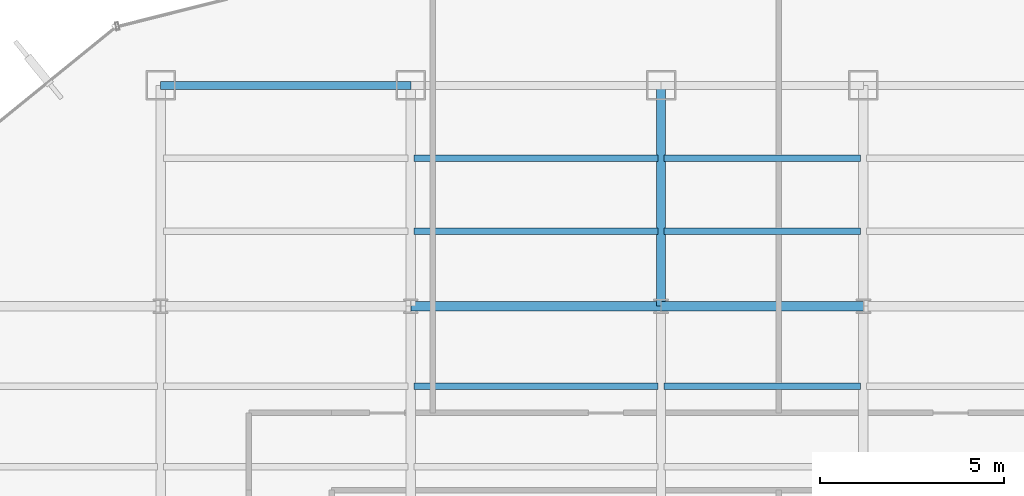
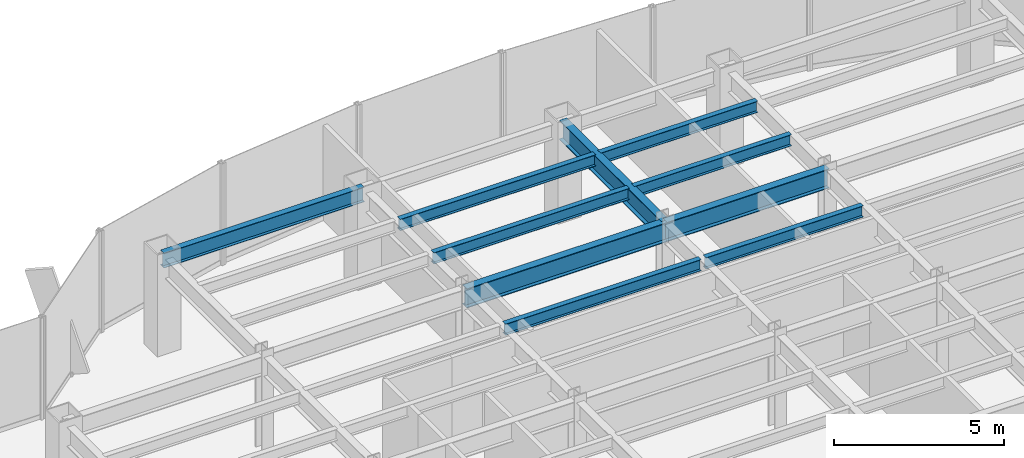
# One storey, part 15 of 26: 10 beams.
"""IFC4 building model written with IfcOpenShell, lengths in metres."""

from ifc_helpers import new_model, si_unit, derived_unit, direction, frame, origin, origin_2d, place, context, subcontext, project, spatial, i_section, extrude, source, transform, mapped, material, material_profile, profile_set, type_object, element, save


model = new_model("IFC4")

# Units and contexts
model_context = context("Model", 3, precision=1e-05, world=origin(), true_north=direction((0.0, 1.0)))
body_context = subcontext(model_context, "Body", "Model", "MODEL_VIEW")
ifc_project = project(units=[si_unit("LENGTHUNIT", "METRE"), si_unit("AREAUNIT", "SQUARE_METRE"), si_unit("VOLUMEUNIT", "CUBIC_METRE"), si_unit("PLANEANGLEUNIT", "RADIAN"), si_unit("MASSUNIT", "GRAM", prefix="KILO"), derived_unit("THERMALTRANSMITTANCEUNIT", [(si_unit("POWERUNIT", "WATT"), 1), (si_unit("LENGTHUNIT", "METRE"), -2), (si_unit("THERMODYNAMICTEMPERATUREUNIT", "KELVIN"), -1)])], contexts=[model_context])

# Site, building, storey
site_placement = place(None, origin())
site = spatial("IfcSite", under=ifc_project, at=site_placement, CompositionType="ELEMENT")
building_placement = place(site_placement, origin())
building = spatial("IfcBuilding", under=site, at=building_placement, Name="Skarnbrae Concourse Arena and Tower", CompositionType="ELEMENT")
storey_placement = place(building_placement, frame((0.0, 0.0, 110.550048828125)))
storey = spatial("IfcBuildingStorey", under=building, at=storey_placement, Name="L27", CompositionType="ELEMENT", Elevation=110.550048828125)

# Beams
ifc_material = material(Name="Steel CSA G40.21 350W", Category="steel")
ifc_material_profile_1 = material_profile(ifc_material, i_section(OverallWidth=0.256103515625, OverallDepth=0.693115234375, WebThickness=0.014404296875, FlangeThickness=0.023681640625, at=origin_2d()), Name="W690X170")
ifc_profile_set_1 = profile_set([ifc_material_profile_1], Name="Steel CSA G40.21 350W")
beam_type_1 = type_object("IfcBeamType", Name="BM-GIRD-W690X170", PredefinedType="BEAM", material=ifc_profile_set_1)
shared_shape_1 = source(origin(), body_context, "Body", "SweptSolid", [
    extrude(i_section(OverallWidth=0.256103515625, OverallDepth=0.693115234375, WebThickness=0.014404296875, FlangeThickness=0.023681640625, at=origin_2d()), origin(), (0.0, 0.0, 1.0), 6.800048828125),
])
beam_1_placement = place(storey_placement, frame((21.199951171875, 34.39990234375, 3.053466796875), z_axis=(1.0, 0.0, 0.0), x_axis=(0.0, 1.0, 0.0)))
element("IfcBeam", 1, at=beam_1_placement, inside=storey, type_object=beam_type_1, Name="L27 Primary E-W girder Y34.4-3", PredefinedType="BEAM", context=body_context, shape_type="MappedRepresentation", body=[
    mapped(shared_shape_1, transform((0.0, 0.0, 0.0))),
])
shared_shape_2 = source(origin(), body_context, "Body", "SweptSolid", [
    extrude(i_section(OverallWidth=0.256103515625, OverallDepth=0.693115234375, WebThickness=0.014404296875, FlangeThickness=0.023681640625, at=origin_2d()), origin(), (0.0, 0.0, 1.0), 5.5),
])
beam_2_placement = place(storey_placement, frame((28.0, 34.39990234375, 3.053466796875), z_axis=(1.0, 0.0, 0.0), x_axis=(0.0, 1.0, 0.0)))
element("IfcBeam", 2, at=beam_2_placement, inside=storey, type_object=beam_type_1, Name="L27 Primary E-W girder Y34.4-4", PredefinedType="BEAM", context=body_context, shape_type="MappedRepresentation", body=[
    mapped(shared_shape_2, transform((0.0, 0.0, 0.0))),
])
ifc_material_profile_2 = material_profile(ifc_material, i_section(OverallWidth=0.208984375, OverallDepth=0.532958984375, WebThickness=0.01025390625, FlangeThickness=0.015625, at=origin_2d()), Name="W530X92")
ifc_profile_set_2 = profile_set([ifc_material_profile_2], Name="Steel CSA G40.21 350W")
beam_type_2 = type_object("IfcBeamType", Name="BM-SPAN-W530X92", PredefinedType="SPANDREL", material=ifc_profile_set_2)
shared_shape_3 = source(origin(), body_context, "Body", "SweptSolid", [
    extrude(i_section(OverallWidth=0.208984375, OverallDepth=0.532958984375, WebThickness=0.01025390625, FlangeThickness=0.015625, at=origin_2d()), origin(), (0.0, 0.0, 1.0), 6.800048828125),
])
beam_3_placement = place(storey_placement, frame((14.39990234375, 40.39990234375, 3.133544921875), z_axis=(1.0, 0.0, 0.0), x_axis=(0.0, 1.0, 0.0)))
element("IfcBeam", 3, at=beam_3_placement, inside=storey, type_object=beam_type_2, Name="L27 Perimeter spandrel Y40.4-1", PredefinedType="SPANDREL", context=body_context, shape_type="MappedRepresentation", body=[
    mapped(shared_shape_3, transform((0.0, 0.0, 0.0))),
])
shared_shape_4 = source(origin(), body_context, "Body", "SweptSolid", [
    extrude(i_section(OverallWidth=0.256103515625, OverallDepth=0.693115234375, WebThickness=0.014404296875, FlangeThickness=0.023681640625, at=origin_2d()), origin(), (0.0, 0.0, 1.0), 6.0),
])
beam_4_placement = place(storey_placement, frame((28.0, 34.39990234375, 3.053466796875), z_axis=(0.0, 1.0, 0.0), x_axis=(-1.0, 0.0, 0.0)))
element("IfcBeam", 4, at=beam_4_placement, inside=storey, type_object=beam_type_1, Name="L27 Primary N-S girder X28.0-4", PredefinedType="BEAM", context=body_context, shape_type="MappedRepresentation", body=[
    mapped(shared_shape_4, transform((0.0, 0.0, 0.0))),
])
ifc_material_profile_3 = material_profile(ifc_material, i_section(OverallWidth=0.177978515625, OverallDepth=0.406982421875, WebThickness=0.0078125, FlangeThickness=0.0126953125, at=origin_2d()), Name="W410X60")
ifc_profile_set_3 = profile_set([ifc_material_profile_3], Name="Steel CSA G40.21 350W")
beam_type_3 = type_object("IfcBeamType", Name="BM-JOIST-W410X60", PredefinedType="JOIST", material=ifc_profile_set_3)
shared_shape_5 = source(origin(), body_context, "Body", "SweptSolid", [
    extrude(i_section(OverallWidth=0.177978515625, OverallDepth=0.406982421875, WebThickness=0.0078125, FlangeThickness=0.0126953125, at=origin_2d()), origin(), (0.0, 0.0, 1.0), 6.639892578125),
])
for number, where, z_axis, x_axis, name in (
    (5, (21.280029296875, 32.221923828125, 3.196533203125), (1.0, 0.0, 0.0), (0.0, 1.0, 0.0), "L27 Secondary floor joist 3.2.3"),
    (6, (21.280029296875, 36.43994140625, 3.196533203125), (1.0, 0.0, 0.0), (0.0, 1.0, 0.0), "L27 Secondary floor joist 4.1.2"),
    (7, (21.280029296875, 38.419921875, 3.196533203125), (1.0, 0.0, 0.0), (0.0, 1.0, 0.0), "L27 Secondary floor joist 4.2.2"),
):
    element("IfcBeam", number, at=place(storey_placement, frame(where, z_axis=z_axis, x_axis=x_axis)), inside=storey, type_object=beam_type_3, Name=name, PredefinedType="JOIST", context=body_context, shape_type="MappedRepresentation", body=[
        mapped(shared_shape_5, transform((0.0, 0.0, 0.0))),
    ])
shared_shape_6 = source(origin(), body_context, "Body", "SweptSolid", [
    extrude(i_section(OverallWidth=0.177978515625, OverallDepth=0.406982421875, WebThickness=0.0078125, FlangeThickness=0.0126953125, at=origin_2d()), origin(), (0.0, 0.0, 1.0), 5.33984375),
])
for number, where, z_axis, x_axis, name in (
    (8, (28.080078125, 32.221923828125, 3.196533203125), (1.0, 0.0, 0.0), (0.0, 1.0, 0.0), "L27 Secondary floor joist 3.2.4"),
    (9, (28.080078125, 36.43994140625, 3.196533203125), (1.0, 0.0, 0.0), (0.0, 1.0, 0.0), "L27 Secondary floor joist 4.1.3"),
    (10, (28.080078125, 38.419921875, 3.196533203125), (1.0, 0.0, 0.0), (0.0, 1.0, 0.0), "L27 Secondary floor joist 4.2.3"),
):
    element("IfcBeam", number, at=place(storey_placement, frame(where, z_axis=z_axis, x_axis=x_axis)), inside=storey, type_object=beam_type_3, Name=name, PredefinedType="JOIST", context=body_context, shape_type="MappedRepresentation", body=[
        mapped(shared_shape_6, transform((0.0, 0.0, 0.0))),
    ])

save(model, "model.ifc")
